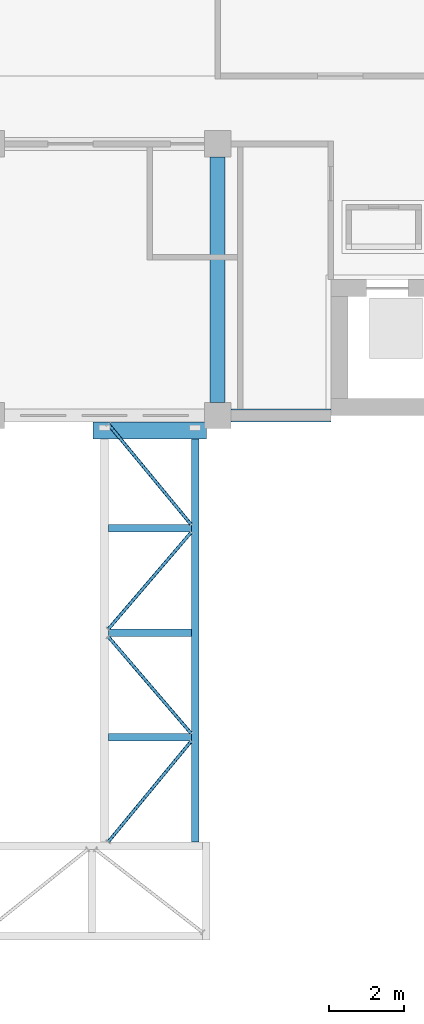
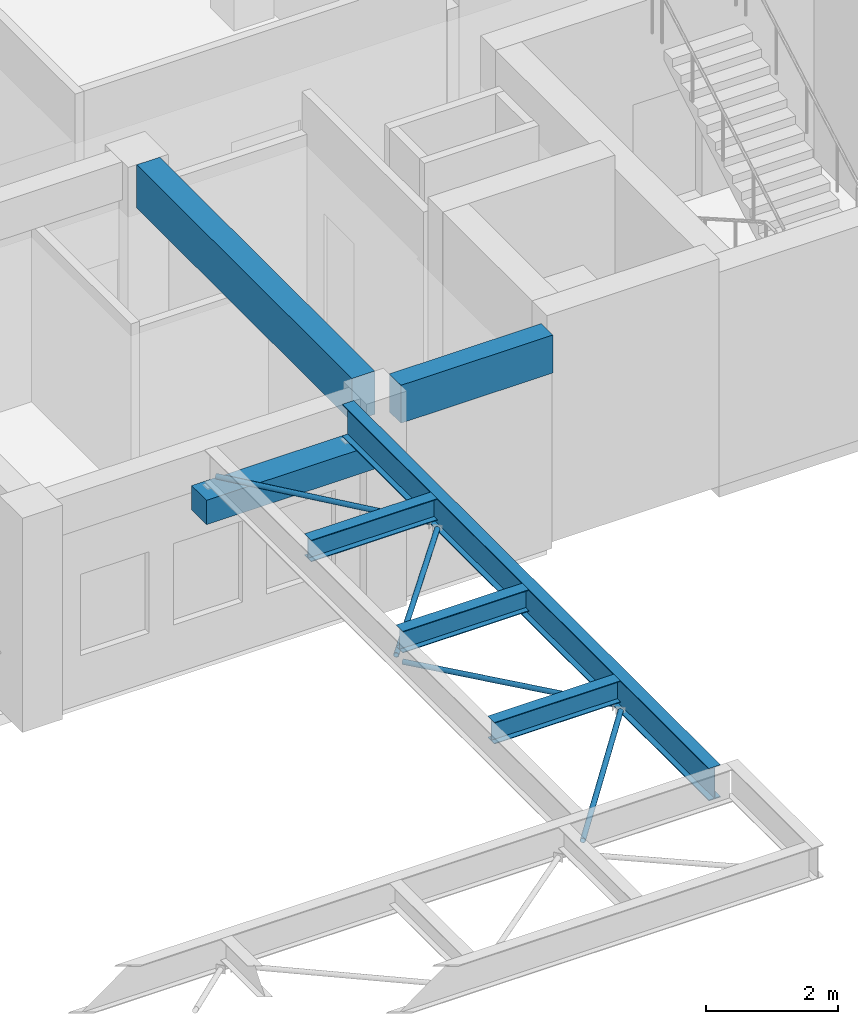
# One storey, part 35 of 103: 7 beams, 4 members.
"""IFC4 building model written with IfcOpenShell, lengths in metres."""

from ifc_helpers import new_model, si_unit, direction, frame, origin, origin_2d, place, context, subcontext, project, spatial, rectangle, hollow_circle, i_section, extrude, material, material_profile, profile_set, type_object, element, save


model = new_model("IFC4")

# Units and contexts
model_context = context("Model", 3, precision=1e-05, world=origin(), true_north=direction((0.0, 1.0)))
body_context = subcontext(model_context, "Body", "Model", "MODEL_VIEW")
ifc_project = project(units=[si_unit("LENGTHUNIT", "METRE"), si_unit("AREAUNIT", "SQUARE_METRE"), si_unit("VOLUMEUNIT", "CUBIC_METRE"), si_unit("PLANEANGLEUNIT", "RADIAN"), si_unit("MASSUNIT", "GRAM", prefix="KILO")], contexts=[model_context])

# Site, building, storey
site_placement = place(None, origin())
site = spatial("IfcSite", under=ifc_project, at=site_placement, CompositionType="ELEMENT")
building_placement = place(site_placement, origin())
building = spatial("IfcBuilding", under=site, at=building_placement, Name="Laocheng Heights Fire and Rescue Headquarters", CompositionType="ELEMENT")
storey_placement = place(building_placement, frame((0.0, 0.0, 4.199951171875)))
storey = spatial("IfcBuildingStorey", under=building, at=storey_placement, Name="L01", CompositionType="ELEMENT", Elevation=4.199951171875)

# Beams
ifc_material_1 = material(Name="Concrete C40", Category="concrete")
ifc_material_profile_1 = material_profile(ifc_material_1, rectangle(XDim=0.35009765625, YDim=0.699951171875, at=origin_2d()), Name="RC BEAM 350x700 CREW")
ifc_profile_set_1 = profile_set([ifc_material_profile_1], Name="Concrete C40")
beam_type_1 = type_object("IfcBeamType", Name="RC BEAM 350x700 CREW", PredefinedType="BEAM", material=ifc_profile_set_1)
beam_1_placement = place(storey_placement, frame((96.35009765625, 36.0, 3.60009765625), z_axis=(1.0, 0.0, 0.0), x_axis=(0.0, 1.0, 0.0)))
element("IfcBeam", 1, at=beam_1_placement, inside=storey, type_object=beam_type_1, Name="Crew beam L01", PredefinedType="BEAM", context=body_context, shape_type="SweptSolid", body=[
    extrude(rectangle(XDim=0.35009765625, YDim=0.699951171875, at=origin_2d()), origin(), (0.0, 0.0, 1.0), 2.64990234375),
])
ifc_material_2 = material(Name="Concrete C40", Category="concrete")
ifc_material_profile_2 = material_profile(ifc_material_2, rectangle(XDim=0.39990234375, YDim=0.800048828125, at=origin_2d()), Name="RC BEAM 400x800 CREW")
ifc_profile_set_2 = profile_set([ifc_material_profile_2], Name="Concrete C40")
beam_type_2 = type_object("IfcBeamType", Name="RC BEAM 400x800 CREW", PredefinedType="BEAM", material=ifc_profile_set_2)
beam_2_placement = place(storey_placement, frame((96.0, 36.35009765625, 3.550048828125), z_axis=(0.0, 1.0, 0.0), x_axis=(-1.0, 0.0, 0.0)))
element("IfcBeam", 2, at=beam_2_placement, inside=storey, type_object=beam_type_2, Name="Crew beam L01", PredefinedType="BEAM", context=body_context, shape_type="SweptSolid", body=[
    extrude(rectangle(XDim=0.39990234375, YDim=0.800048828125, at=origin_2d()), origin(), (0.0, 0.0, 1.0), 6.5),
])
ifc_material_3 = material(Name="Concrete C40", Category="concrete")
ifc_material_profile_3 = material_profile(ifc_material_3, rectangle(XDim=0.449951171875, YDim=0.449951171875, at=origin_2d()), Name="RC CORBEL 450x450 BRIDGE SEAT")
ifc_profile_set_3 = profile_set([ifc_material_profile_3], Name="Concrete C40")
beam_type_3 = type_object("IfcBeamType", Name="RC CORBEL 450x450 BRIDGE SEAT", PredefinedType="BEAM", material=ifc_profile_set_3)
beam_3_placement = place(storey_placement, frame((92.699951171875, 35.60009765625, 3.1552734375), z_axis=(1.0, 0.0, 0.0), x_axis=(0.0, 1.0, 0.0)))
element("IfcBeam", 3, at=beam_3_placement, inside=storey, type_object=beam_type_3, Name="Bridge B4 corbel", PredefinedType="BEAM", context=body_context, shape_type="SweptSolid", body=[
    extrude(rectangle(XDim=0.449951171875, YDim=0.449951171875, at=origin_2d()), origin(), (0.0, 0.0, 1.0), 3.0),
])
ifc_material_4 = material(Name="Steel Q355B", Category="steel")
ifc_material_profile_4 = material_profile(ifc_material_4, i_section(OverallWidth=0.199951171875, OverallDepth=0.60009765625, WebThickness=0.010986328125, FlangeThickness=0.01708984375, at=origin_2d()), Name="HN 600x200x11x17")
ifc_profile_set_4 = profile_set([ifc_material_profile_4], Name="Steel Q355B")
beam_type_4 = type_object("IfcBeamType", Name="STEEL BRIDGE GIRDER HN 600x200x11x17", PredefinedType="BEAM", material=ifc_profile_set_4)
beam_4_placement = place(storey_placement, frame((95.39990234375, 24.699951171875, 3.699951171875), z_axis=(0.0, 1.0, 0.0), x_axis=(-1.0, 0.0, 0.0)))
element("IfcBeam", 4, at=beam_4_placement, inside=storey, type_object=beam_type_4, Name="Bridge B4 girder", PredefinedType="BEAM", context=body_context, shape_type="SweptSolid", body=[
    extrude(i_section(OverallWidth=0.199951171875, OverallDepth=0.60009765625, WebThickness=0.010986328125, FlangeThickness=0.01708984375, at=origin_2d()), origin(), (0.0, 0.0, 1.0), 11.074951171875),
])

# Members
ifc_material_5 = material(Name="Steel Q355B", Category="steel")
ifc_material_profile_5 = material_profile(ifc_material_5, hollow_circle(Radius=0.04443359375, WallThickness=0.0048828125, at=origin_2d()), Name="CHS 88.9x5")
ifc_profile_set_5 = profile_set([ifc_material_profile_5], Name="Steel Q355B")
member_type = type_object("IfcMemberType", Name="STEEL BRIDGE PLAN BRACE CHS 88.9x5", PredefinedType="BRACE", material=ifc_profile_set_5)
member_1_placement = place(storey_placement, frame((93.10009765625, 24.699951171875, 3.4443359375), z_axis=(0.636085742135, 0.771618382785, 0.0), x_axis=(-0.771618382785, 0.636085742135, 0.0)))
element("IfcMember", 5, at=member_1_placement, inside=storey, type_object=member_type, Name="Bridge B4 plan bracing", PredefinedType="BRACE", context=body_context, shape_type="SweptSolid", body=[
    extrude(hollow_circle(Radius=0.04443359375, WallThickness=0.0048828125, at=origin_2d()), origin(), (0.0, 0.0, 1.0), 3.45849609375),
])
member_2_placement = place(storey_placement, frame((95.300048828125, 27.56884765625, 3.4443359375), z_axis=(-0.650500019497, 0.75950623739, 0.0), x_axis=(-0.75950623739, -0.650500019497, 0.0)))
element("IfcMember", 6, at=member_2_placement, inside=storey, type_object=member_type, Name="Bridge B4 plan bracing", PredefinedType="BRACE", context=body_context, shape_type="SweptSolid", body=[
    extrude(hollow_circle(Radius=0.04443359375, WallThickness=0.0048828125, at=origin_2d()), origin(), (0.0, 0.0, 1.0), 3.3818359375),
])
member_3_placement = place(storey_placement, frame((93.10009765625, 30.33740234375, 3.4443359375), z_axis=(0.650464354852, 0.759536781905, 0.0), x_axis=(-0.759536781905, 0.650464354852, 0.0)))
element("IfcMember", 7, at=member_3_placement, inside=storey, type_object=member_type, Name="Bridge B4 plan bracing", PredefinedType="BRACE", context=body_context, shape_type="SweptSolid", body=[
    extrude(hollow_circle(Radius=0.04443359375, WallThickness=0.0048828125, at=origin_2d()), origin(), (0.0, 0.0, 1.0), 3.382080078125),
])
member_4_placement = place(storey_placement, frame((95.300048828125, 33.106201171875, 3.4443359375), z_axis=(-0.636085742135, 0.771618382785, 0.0), x_axis=(-0.771618382785, -0.636085742135, 0.0)))
element("IfcMember", 8, at=member_4_placement, inside=storey, type_object=member_type, Name="Bridge B4 plan bracing", PredefinedType="BRACE", context=body_context, shape_type="SweptSolid", body=[
    extrude(hollow_circle(Radius=0.04443359375, WallThickness=0.0048828125, at=origin_2d()), origin(), (0.0, 0.0, 1.0), 3.45849609375),
])

# Beams
ifc_material_6 = material(Name="Steel Q355B", Category="steel")
ifc_material_profile_6 = material_profile(ifc_material_6, i_section(OverallWidth=0.199951171875, OverallDepth=0.39990234375, WebThickness=0.008056640625, FlangeThickness=0.012939453125, at=origin_2d()), Name="HN 400x200x8x13")
ifc_profile_set_6 = profile_set([ifc_material_profile_6], Name="Steel Q355B")
beam_type_5 = type_object("IfcBeamType", Name="STEEL BRIDGE TYING BEAM HN 400x200x8x13", PredefinedType="BEAM", material=ifc_profile_set_6)
for number, where, z_axis, x_axis, name in (
    (9, (93.10009765625, 27.46875, 3.800048828125), (1.0, 0.0, 0.0), (0.0, 1.0, 0.0), "Bridge B4 cross beam"),
    (10, (93.10009765625, 30.237548828125, 3.800048828125), (1.0, 0.0, 0.0), (0.0, 1.0, 0.0), "Bridge B4 cross beam"),
    (11, (93.10009765625, 33.006103515625, 3.800048828125), (1.0, 0.0, 0.0), (0.0, 1.0, 0.0), "Bridge B4 cross beam"),
):
    element("IfcBeam", number, at=place(storey_placement, frame(where, z_axis=z_axis, x_axis=x_axis)), inside=storey, type_object=beam_type_5, Name=name, PredefinedType="BEAM", context=body_context, shape_type="SweptSolid", body=[
        extrude(i_section(OverallWidth=0.199951171875, OverallDepth=0.39990234375, WebThickness=0.008056640625, FlangeThickness=0.012939453125, at=origin_2d()), origin(), (0.0, 0.0, 1.0), 2.199951171875),
    ])

save(model, "model.ifc")
